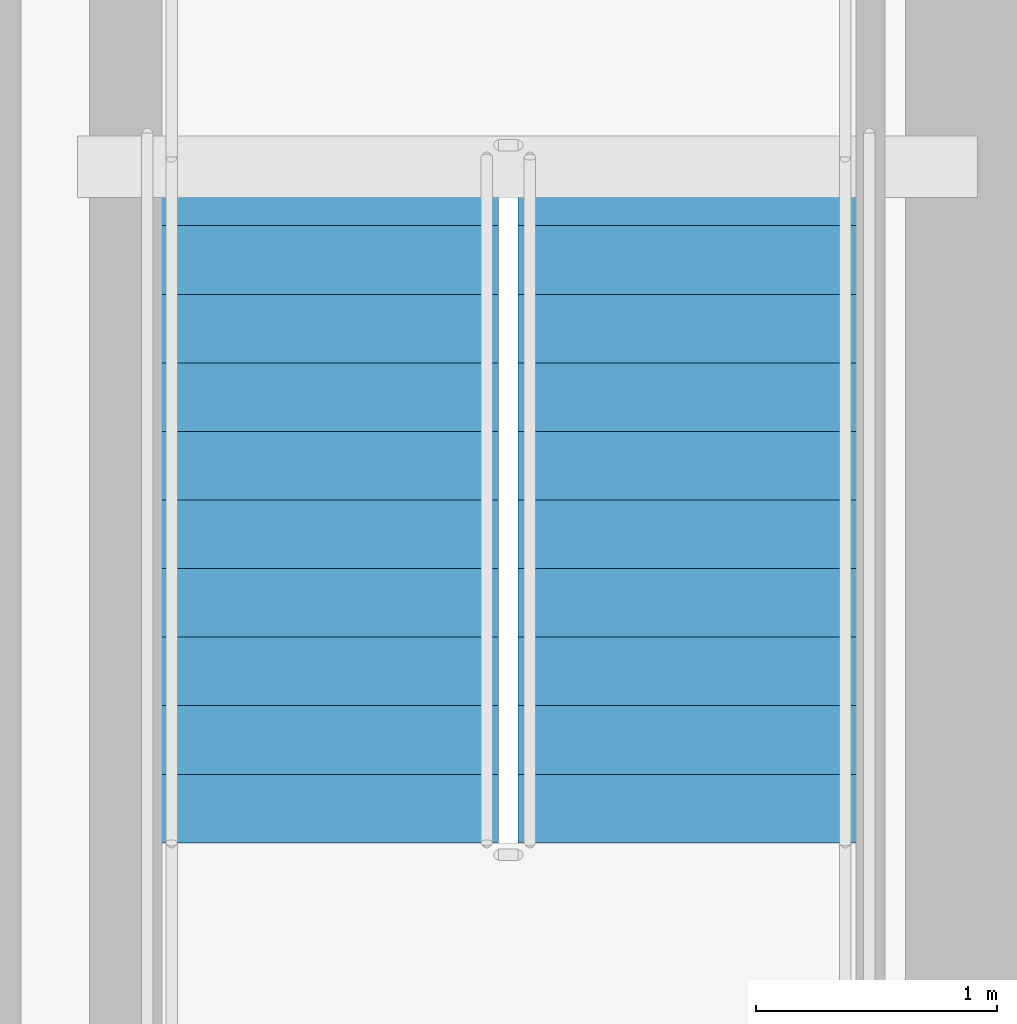
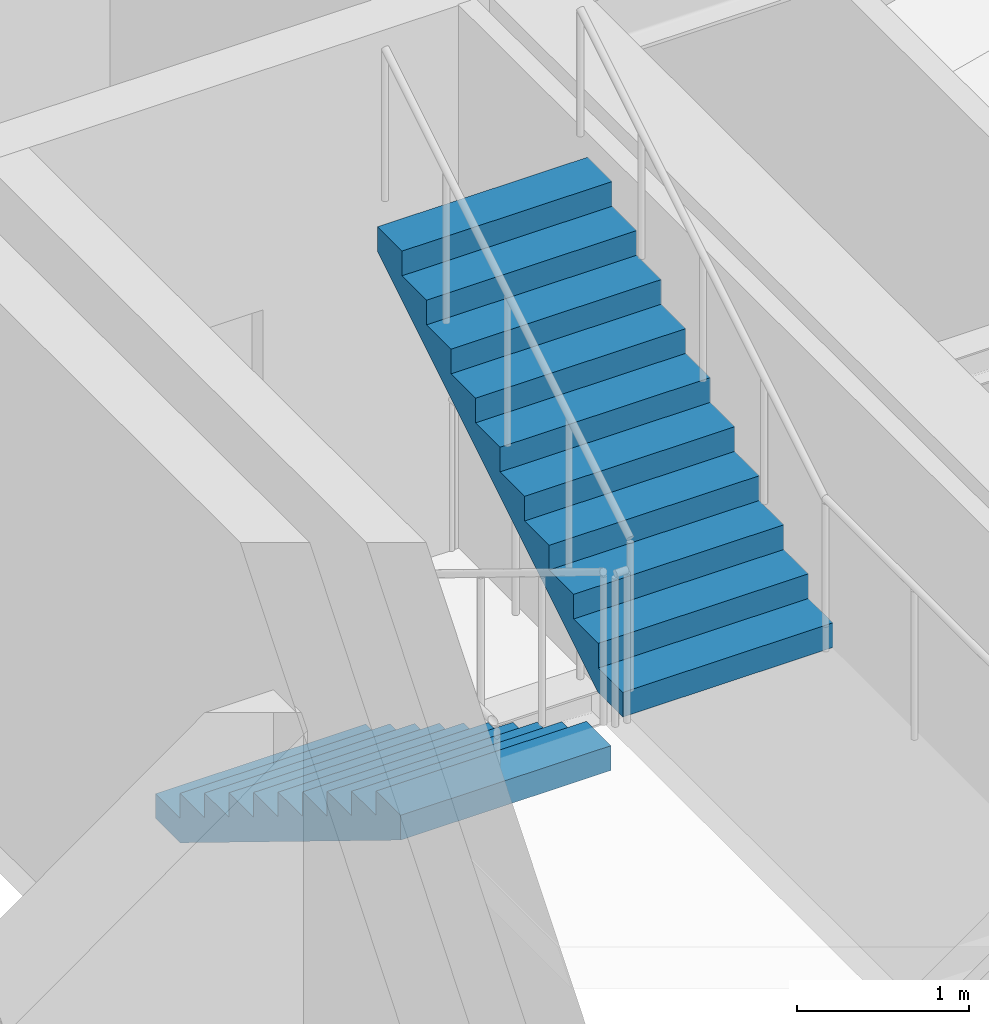
# One storey, part 17 of 20: 2 stair flights, 1 element without a shape of its own.
"""IFC4 building model written with IfcOpenShell, lengths in metres."""

from ifc_helpers import new_model, si_unit, direction, frame, origin, place, context, subcontext, project, spatial, polyline, outline, extrude, material, type_object, element, aggregate, save


model = new_model("IFC4")

# Units and contexts
model_context = context("Model", 3, precision=1e-05, world=origin(), true_north=direction((0.0, 1.0)))
body_context = subcontext(model_context, "Body", "Model", "MODEL_VIEW")
ifc_project = project(units=[si_unit("LENGTHUNIT", "METRE"), si_unit("AREAUNIT", "SQUARE_METRE"), si_unit("VOLUMEUNIT", "CUBIC_METRE"), si_unit("PLANEANGLEUNIT", "RADIAN"), si_unit("MASSUNIT", "GRAM", prefix="KILO")], contexts=[model_context])

# Site, building, storey
site_placement = place(None, origin())
site = spatial("IfcSite", under=ifc_project, at=site_placement, CompositionType="ELEMENT")
building_placement = place(site_placement, origin())
building = spatial("IfcBuilding", under=site, at=building_placement, Name="Bramvorn Convention Spire", CompositionType="ELEMENT")
storey_placement = place(building_placement, frame((0.0, 0.0, 269.0)))
storey = spatial("IfcBuildingStorey", under=building, at=storey_placement, Name="L68", CompositionType="ELEMENT", Elevation=269.0)

# Stair, stair flights
ifc_material_1 = material(Name="Concrete C40/50 Precast Stair", Category="concrete")
stair_type = type_object("IfcStairType", Name="ST-TOWER-1550", PredefinedType="HALF_TURN_STAIR", material=ifc_material_1)
stair_placement = place(storey_placement, origin())
stair = element("IfcStair", 1, at=stair_placement, inside=storey, type_object=stair_type, Name="L68 Protected Exit Stair ST2", PredefinedType="HALF_TURN_STAIR")
ifc_material_2 = material(Name="Concrete C40/50 Precast Stair Flight", Category="concrete")
stair_flight_type = type_object("IfcStairFlightType", Name="STF-TOWER-1550", PredefinedType="STRAIGHT", material=ifc_material_2)
stair_flight_1_placement = place(storey_placement, frame((46.35498046875, 25.050048828125, 0.0), z_axis=(0.0, 0.0, 1.0), x_axis=(0.0, -1.0, 0.0)))
stair_flight_1 = element("IfcStairFlight", 2, at=stair_flight_1_placement, type_object=stair_flight_type, Name="ST2 flight 1", NumberOfRisers=11, NumberOfTreads=10, PredefinedType="STRAIGHT", RiserHeight=0.175, TreadLength=0.285, context=body_context, shape_type="SweptSolid", body=[
    extrude(outline(polyline([(0.0, 0.0), (0.0, 0.175048828125), (0.284912109375, 0.175048828125), (0.284912109375, 0.35009765625), (0.570068359375, 0.35009765625), (0.570068359375, 0.52490234375), (0.85498046875, 0.52490234375), (0.85498046875, 0.699951171875), (1.139892578125, 0.699951171875), (1.139892578125, 0.875), (1.425048828125, 0.875), (1.425048828125, 1.050048828125), (1.7099609375, 1.050048828125), (1.7099609375, 1.22509765625), (1.9951171875, 1.22509765625), (1.9951171875, 1.39990234375), (2.280029296875, 1.39990234375), (2.280029296875, 1.574951171875), (2.56494140625, 1.574951171875), (2.56494140625, 1.75), (2.85009765625, 1.75), (2.85009765625, 1.925048828125), (2.85009765625, 1.573974609375), (0.286376953125, 0.0), (0.0, 0.0)])), frame((0.0, 0.705078125, 0.0), z_axis=(0.0, -1.0, 0.0), x_axis=(1.0, 0.0, 0.0)), (0.0, 0.0, 1.0), 1.409912109375),
])
stair_flight_2_placement = place(storey_placement, frame((47.844970703125, 22.199951171875, 1.925048828125), z_axis=(0.0, 0.0, 1.0), x_axis=(0.0, 1.0, 0.0)))
stair_flight_2 = element("IfcStairFlight", 3, at=stair_flight_2_placement, type_object=stair_flight_type, Name="ST2 flight 2", NumberOfRisers=11, NumberOfTreads=10, PredefinedType="STRAIGHT", RiserHeight=0.175, TreadLength=0.285, context=body_context, shape_type="SweptSolid", body=[
    extrude(outline(polyline([(0.0, 0.0), (0.0, 0.175048828125), (0.284912109375, 0.175048828125), (0.284912109375, 0.35009765625), (0.570068359375, 0.35009765625), (0.570068359375, 0.52490234375), (0.85498046875, 0.52490234375), (0.85498046875, 0.699951171875), (1.139892578125, 0.699951171875), (1.139892578125, 0.875), (1.425048828125, 0.875), (1.425048828125, 1.050048828125), (1.7099609375, 1.050048828125), (1.7099609375, 1.22509765625), (1.9951171875, 1.22509765625), (1.9951171875, 1.39990234375), (2.280029296875, 1.39990234375), (2.280029296875, 1.574951171875), (2.56494140625, 1.574951171875), (2.56494140625, 1.75), (2.85009765625, 1.75), (2.85009765625, 1.925048828125), (2.85009765625, 1.573974609375), (0.286376953125, 0.0), (0.0, 0.0)])), frame((0.0, 0.705078125, 0.0), z_axis=(0.0, -1.0, 0.0), x_axis=(1.0, 0.0, 0.0)), (0.0, 0.0, 1.0), 1.409912109375),
])
aggregate(stair, [stair_flight_1, stair_flight_2])

save(model, "model.ifc")
